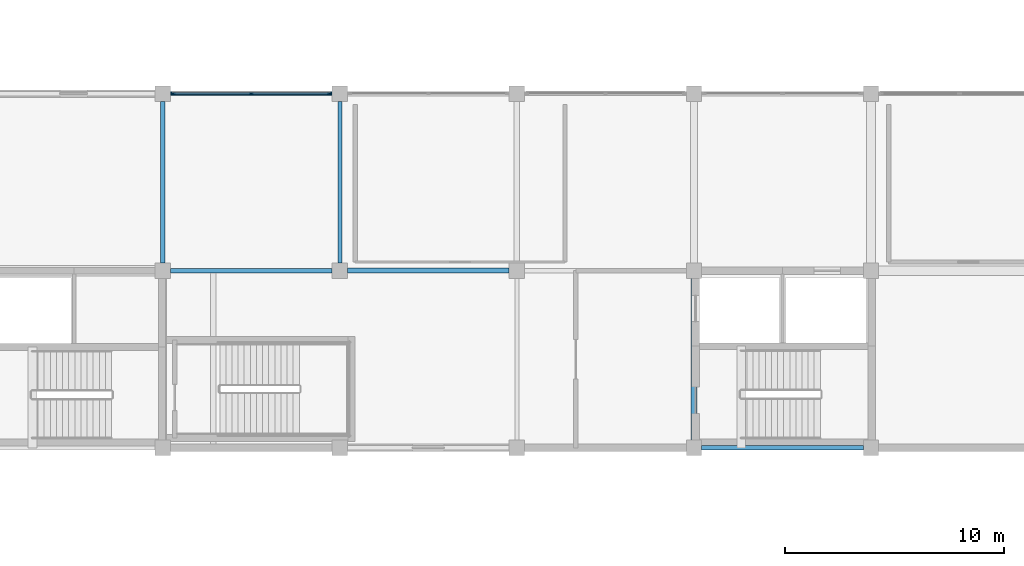
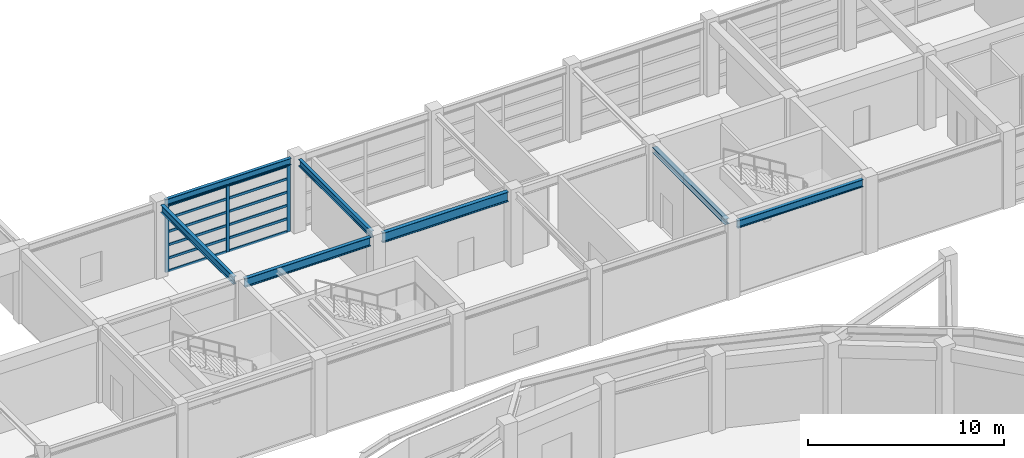
# One storey, part 27 of 58: 15 members, 7 beams, 1 element without a shape of its own.
"""IFC4 building model written with IfcOpenShell, lengths in metres."""

from ifc_helpers import new_model, si_unit, direction, frame, origin, origin_2d, place, context, subcontext, project, spatial, rectangle, i_section, extrude, material, material_profile, profile_set, type_object, element, aggregate, save


model = new_model("IFC4")

# Units and contexts
model_context = context("Model", 3, precision=1e-05, world=origin(), true_north=direction((0.0, 1.0)))
body_context = subcontext(model_context, "Body", "Model", "MODEL_VIEW")
ifc_project = project(units=[si_unit("LENGTHUNIT", "METRE"), si_unit("AREAUNIT", "SQUARE_METRE"), si_unit("VOLUMEUNIT", "CUBIC_METRE"), si_unit("PLANEANGLEUNIT", "RADIAN"), si_unit("MASSUNIT", "GRAM", prefix="KILO")], contexts=[model_context])

# Site, building, storey
site_placement = place(None, origin())
site = spatial("IfcSite", under=ifc_project, at=site_placement, CompositionType="ELEMENT")
building_placement = place(site_placement, origin())
building = spatial("IfcBuilding", under=site, at=building_placement, Name="Parian Resonance Hall", CompositionType="ELEMENT")
storey_placement = place(building_placement, frame((0.0, 0.0, 10.199951171875)))
storey = spatial("IfcBuildingStorey", under=building, at=storey_placement, Name="L02", CompositionType="ELEMENT", Elevation=10.199951171875)

# Beams
ifc_material_1 = material(Name="Steel S355", Category="steel")
ifc_material_profile_1 = material_profile(ifc_material_1, i_section(OverallWidth=0.2548828125, OverallDepth=0.35693359375, WebThickness=0.010498046875, FlangeThickness=0.018310546875, FilletRadius=0.01513671875, at=origin_2d()), Name="W360x101")
ifc_profile_set_1 = profile_set([ifc_material_profile_1], Name="Steel S355")
beam_type_1 = type_object("IfcBeamType", Name="BM-W360x101", PredefinedType="SPANDREL", material=ifc_profile_set_1)
beam_1_placement = place(storey_placement, frame((56.699951171875, 73.25, 4.381591796875), z_axis=(0.0, 1.0, 0.0), x_axis=(-1.0, 0.0, 0.0)))
element("IfcBeam", 1, at=beam_1_placement, inside=storey, type_object=beam_type_1, Name="GY-L02-0755", PredefinedType="SPANDREL", context=body_context, shape_type="SweptSolid", body=[
    extrude(i_section(OverallWidth=0.2548828125, OverallDepth=0.35693359375, WebThickness=0.010498046875, FlangeThickness=0.018310546875, FilletRadius=0.01513671875, at=origin_2d()), origin(), (0.0, 0.0, 1.0), 7.39990234375),
])
ifc_material_2 = material(Name="Steel S355", Category="steel")
ifc_material_profile_2 = material_profile(ifc_material_2, i_section(OverallWidth=0.180908203125, OverallDepth=0.4169921875, WebThickness=0.010986328125, FlangeThickness=0.018310546875, FilletRadius=0.01513671875, at=origin_2d()), Name="W410x85")
ifc_profile_set_2 = profile_set([ifc_material_profile_2], Name="Steel S355")
beam_type_2 = type_object("IfcBeamType", Name="BM-W410x85", PredefinedType="SPANDREL", material=ifc_profile_set_2)
for number, where, z_axis, x_axis, name in (
    (2, (32.75, 89.10009765625, 4.3515625), (1.0, 0.0, 0.0), (0.0, 1.0, 0.0), "GX-L02-0670"),
    (3, (40.5, 81.35009765625, 4.3515625), (0.0, 1.0, 0.0), (-1.0, 0.0, 0.0), "GY-L02-0752"),
):
    element("IfcBeam", number, at=place(storey_placement, frame(where, z_axis=z_axis, x_axis=x_axis)), inside=storey, type_object=beam_type_2, Name=name, PredefinedType="SPANDREL", context=body_context, shape_type="SweptSolid", body=[
        extrude(i_section(OverallWidth=0.180908203125, OverallDepth=0.4169921875, WebThickness=0.010986328125, FlangeThickness=0.018310546875, FilletRadius=0.01513671875, at=origin_2d()), origin(), (0.0, 0.0, 1.0), 7.39990234375),
    ])
ifc_material_3 = material(Name="Steel S355", Category="steel")
ifc_material_profile_3 = material_profile(ifc_material_3, i_section(OverallWidth=0.194091796875, OverallDepth=0.468994140625, WebThickness=0.0126953125, FlangeThickness=0.0205078125, FilletRadius=0.01513671875, at=origin_2d()), Name="W460x106")
ifc_profile_set_3 = profile_set([ifc_material_profile_3], Name="Steel S355")
beam_type_3 = type_object("IfcBeamType", Name="BM-W460x106", PredefinedType="SPANDREL", material=ifc_profile_set_3)
for number, where, z_axis, x_axis, name in (
    (4, (57.050048828125, 72.89990234375, 4.325439453125), (1.0, 0.0, 0.0), (0.0, 1.0, 0.0), "GX-L02-0677"),
    (5, (32.39990234375, 81.35009765625, 4.325439453125), (0.0, 1.0, 0.0), (-1.0, 0.0, 0.0), "GY-L02-0751"),
):
    element("IfcBeam", number, at=place(storey_placement, frame(where, z_axis=z_axis, x_axis=x_axis)), inside=storey, type_object=beam_type_3, Name=name, PredefinedType="SPANDREL", context=body_context, shape_type="SweptSolid", body=[
        extrude(i_section(OverallWidth=0.194091796875, OverallDepth=0.468994140625, WebThickness=0.0126953125, FlangeThickness=0.0205078125, FilletRadius=0.01513671875, at=origin_2d()), origin(), (0.0, 0.0, 1.0), 7.39990234375),
    ])
ifc_material_4 = material(Name="Steel S355", Category="steel")
ifc_material_profile_4 = material_profile(ifc_material_4, i_section(OverallWidth=0.2119140625, OverallDepth=0.5439453125, WebThickness=0.01318359375, FlangeThickness=0.021240234375, FilletRadius=0.017822265625, at=origin_2d()), Name="W530x123")
ifc_profile_set_4 = profile_set([ifc_material_profile_4], Name="Steel S355")
beam_type_4 = type_object("IfcBeamType", Name="BM-W530x123", PredefinedType="USERDEFINED", material=ifc_profile_set_4)
beam_2_placement = place(storey_placement, frame((32.75, 81.0, 4.2880859375), z_axis=(1.0, 0.0, 0.0), x_axis=(0.0, 1.0, 0.0)))
element("IfcBeam", 6, at=beam_2_placement, inside=storey, type_object=beam_type_4, Name="GX-L02-0669", ObjectType="GIRDER", PredefinedType="USERDEFINED", context=body_context, shape_type="SweptSolid", body=[
    extrude(i_section(OverallWidth=0.2119140625, OverallDepth=0.5439453125, WebThickness=0.01318359375, FlangeThickness=0.021240234375, FilletRadius=0.017822265625, at=origin_2d()), origin(), (0.0, 0.0, 1.0), 7.39990234375),
])
ifc_material_5 = material(Name="Steel S355", Category="steel")
ifc_material_profile_5 = material_profile(ifc_material_5, i_section(OverallWidth=0.22802734375, OverallDepth=0.60791015625, WebThickness=0.01123046875, FlangeThickness=0.017333984375, FilletRadius=0.017822265625, at=origin_2d()), Name="W610x113")
ifc_profile_set_5 = profile_set([ifc_material_profile_5], Name="Steel S355")
beam_type_5 = type_object("IfcBeamType", Name="BM-W610x113", PredefinedType="USERDEFINED", material=ifc_profile_set_5)
beam_3_placement = place(storey_placement, frame((40.85009765625, 81.0, 4.256103515625), z_axis=(1.0, 0.0, 0.0), x_axis=(0.0, 1.0, 0.0)))
element("IfcBeam", 7, at=beam_3_placement, inside=storey, type_object=beam_type_5, Name="GX-L02-0672", ObjectType="GIRDER", PredefinedType="USERDEFINED", context=body_context, shape_type="SweptSolid", body=[
    extrude(i_section(OverallWidth=0.22802734375, OverallDepth=0.60791015625, WebThickness=0.01123046875, FlangeThickness=0.017333984375, FilletRadius=0.017822265625, at=origin_2d()), origin(), (0.0, 0.0, 1.0), 7.39990234375),
])

# Curtain wall, members
ifc_material_6 = material(Name="Bronze-anodised aluminium frame", Category="aluminium")
curtain_wall_type = type_object("IfcCurtainWallType", Name="CW-SYS-06", PredefinedType="NOTDEFINED", material=ifc_material_6)
curtain_wall_placement = place(storey_placement, origin())
curtain_wall = element("IfcCurtainWall", 8, at=curtain_wall_placement, inside=storey, type_object=curtain_wall_type, Name="Curtain wall CW-L02-078", PredefinedType="NOTDEFINED")
ifc_material_7 = material(Name="Bronze-anodised aluminium frame", Category="aluminium")
ifc_material_profile_6 = material_profile(ifc_material_7, rectangle(XDim=0.074951171875, YDim=0.199951171875, at=origin_2d()), Name="CWM-75x200")
ifc_profile_set_6 = profile_set([ifc_material_profile_6], Name="Bronze-anodised aluminium frame")
member_type_1 = type_object("IfcMemberType", Name="CWM-75x200", PredefinedType="MULLION", material=ifc_profile_set_6)
member_1_placement = place(storey_placement, frame((32.867431640625, 89.10009765625, -0.008056640625), z_axis=(0.0, 0.0, 1.0), x_axis=(0.0, 1.0, 0.0)))
member_1 = element("IfcMember", 9, at=member_1_placement, type_object=member_type_1, Name="CW-06 mullion 1", PredefinedType="MULLION", context=body_context, shape_type="SweptSolid", body=[
    extrude(rectangle(XDim=0.074951171875, YDim=0.199951171875, at=origin_2d()), origin(), (0.0, 0.0, 1.0), 4.155029296875),
])
member_2_placement = place(storey_placement, frame((36.449951171875, 89.10009765625, -0.008056640625), z_axis=(0.0, 0.0, 1.0), x_axis=(0.0, 1.0, 0.0)))
member_2 = element("IfcMember", 10, at=member_2_placement, type_object=member_type_1, Name="CW-06 mullion 2", PredefinedType="MULLION", context=body_context, shape_type="SweptSolid", body=[
    extrude(rectangle(XDim=0.074951171875, YDim=0.199951171875, at=origin_2d()), origin(), (0.0, 0.0, 1.0), 4.155029296875),
])
member_3_placement = place(storey_placement, frame((40.032470703125, 89.10009765625, -0.008056640625), z_axis=(0.0, 0.0, 1.0), x_axis=(0.0, 1.0, 0.0)))
member_3 = element("IfcMember", 11, at=member_3_placement, type_object=member_type_1, Name="CW-06 mullion 3", PredefinedType="MULLION", context=body_context, shape_type="SweptSolid", body=[
    extrude(rectangle(XDim=0.074951171875, YDim=0.199951171875, at=origin_2d()), origin(), (0.0, 0.0, 1.0), 4.155029296875),
])
ifc_material_8 = material(Name="Bronze-anodised aluminium frame", Category="aluminium")
ifc_material_profile_7 = material_profile(ifc_material_8, rectangle(XDim=0.074951171875, YDim=0.14990234375, at=origin_2d()), Name="CWT-75x150")
ifc_profile_set_7 = profile_set([ifc_material_profile_7], Name="Bronze-anodised aluminium frame")
member_type_2 = type_object("IfcMemberType", Name="CWT-75x150", PredefinedType="USERDEFINED", material=ifc_profile_set_7)
member_4_placement = place(storey_placement, frame((32.905029296875, 89.10009765625, 0.029541015625), z_axis=(1.0, 0.0, 0.0), x_axis=(0.0, 1.0, 0.0)))
member_4 = element("IfcMember", 12, at=member_4_placement, type_object=member_type_2, Name="CW-06 transom 1.1", ObjectType="TRANSOM", PredefinedType="USERDEFINED", context=body_context, shape_type="SweptSolid", body=[
    extrude(rectangle(XDim=0.074951171875, YDim=0.14990234375, at=origin_2d()), origin(), (0.0, 0.0, 1.0), 3.507568359375),
])
member_5_placement = place(storey_placement, frame((32.905029296875, 89.10009765625, 0.827392578125), z_axis=(1.0, 0.0, 0.0), x_axis=(0.0, 1.0, 0.0)))
member_5 = element("IfcMember", 13, at=member_5_placement, type_object=member_type_2, Name="CW-06 transom 1.2", ObjectType="TRANSOM", PredefinedType="USERDEFINED", context=body_context, shape_type="SweptSolid", body=[
    extrude(rectangle(XDim=0.074951171875, YDim=0.14990234375, at=origin_2d()), origin(), (0.0, 0.0, 1.0), 3.507568359375),
])
member_6_placement = place(storey_placement, frame((32.905029296875, 89.10009765625, 1.65478515625), z_axis=(1.0, 0.0, 0.0), x_axis=(0.0, 1.0, 0.0)))
member_6 = element("IfcMember", 14, at=member_6_placement, type_object=member_type_2, Name="CW-06 transom 1.3", ObjectType="TRANSOM", PredefinedType="USERDEFINED", context=body_context, shape_type="SweptSolid", body=[
    extrude(rectangle(XDim=0.074951171875, YDim=0.14990234375, at=origin_2d()), origin(), (0.0, 0.0, 1.0), 3.507568359375),
])
member_7_placement = place(storey_placement, frame((32.905029296875, 89.10009765625, 2.482177734375), z_axis=(1.0, 0.0, 0.0), x_axis=(0.0, 1.0, 0.0)))
member_7 = element("IfcMember", 15, at=member_7_placement, type_object=member_type_2, Name="CW-06 transom 1.4", ObjectType="TRANSOM", PredefinedType="USERDEFINED", context=body_context, shape_type="SweptSolid", body=[
    extrude(rectangle(XDim=0.074951171875, YDim=0.14990234375, at=origin_2d()), origin(), (0.0, 0.0, 1.0), 3.507568359375),
])
member_8_placement = place(storey_placement, frame((32.905029296875, 89.10009765625, 3.3095703125), z_axis=(1.0, 0.0, 0.0), x_axis=(0.0, 1.0, 0.0)))
member_8 = element("IfcMember", 16, at=member_8_placement, type_object=member_type_2, Name="CW-06 transom 1.5", ObjectType="TRANSOM", PredefinedType="USERDEFINED", context=body_context, shape_type="SweptSolid", body=[
    extrude(rectangle(XDim=0.074951171875, YDim=0.14990234375, at=origin_2d()), origin(), (0.0, 0.0, 1.0), 3.507568359375),
])
member_9_placement = place(storey_placement, frame((32.905029296875, 89.10009765625, 4.109619140625), z_axis=(1.0, 0.0, 0.0), x_axis=(0.0, 1.0, 0.0)))
member_9 = element("IfcMember", 17, at=member_9_placement, type_object=member_type_2, Name="CW-06 transom 1.6", ObjectType="TRANSOM", PredefinedType="USERDEFINED", context=body_context, shape_type="SweptSolid", body=[
    extrude(rectangle(XDim=0.074951171875, YDim=0.14990234375, at=origin_2d()), origin(), (0.0, 0.0, 1.0), 3.507568359375),
])
member_10_placement = place(storey_placement, frame((36.487548828125, 89.10009765625, 0.029541015625), z_axis=(1.0, 0.0, 0.0), x_axis=(0.0, 1.0, 0.0)))
member_10 = element("IfcMember", 18, at=member_10_placement, type_object=member_type_2, Name="CW-06 transom 2.1", ObjectType="TRANSOM", PredefinedType="USERDEFINED", context=body_context, shape_type="SweptSolid", body=[
    extrude(rectangle(XDim=0.074951171875, YDim=0.14990234375, at=origin_2d()), origin(), (0.0, 0.0, 1.0), 3.507568359375),
])
member_11_placement = place(storey_placement, frame((36.487548828125, 89.10009765625, 0.827392578125), z_axis=(1.0, 0.0, 0.0), x_axis=(0.0, 1.0, 0.0)))
member_11 = element("IfcMember", 19, at=member_11_placement, type_object=member_type_2, Name="CW-06 transom 2.2", ObjectType="TRANSOM", PredefinedType="USERDEFINED", context=body_context, shape_type="SweptSolid", body=[
    extrude(rectangle(XDim=0.074951171875, YDim=0.14990234375, at=origin_2d()), origin(), (0.0, 0.0, 1.0), 3.507568359375),
])
member_12_placement = place(storey_placement, frame((36.487548828125, 89.10009765625, 1.65478515625), z_axis=(1.0, 0.0, 0.0), x_axis=(0.0, 1.0, 0.0)))
member_12 = element("IfcMember", 20, at=member_12_placement, type_object=member_type_2, Name="CW-06 transom 2.3", ObjectType="TRANSOM", PredefinedType="USERDEFINED", context=body_context, shape_type="SweptSolid", body=[
    extrude(rectangle(XDim=0.074951171875, YDim=0.14990234375, at=origin_2d()), origin(), (0.0, 0.0, 1.0), 3.507568359375),
])
member_13_placement = place(storey_placement, frame((36.487548828125, 89.10009765625, 2.482177734375), z_axis=(1.0, 0.0, 0.0), x_axis=(0.0, 1.0, 0.0)))
member_13 = element("IfcMember", 21, at=member_13_placement, type_object=member_type_2, Name="CW-06 transom 2.4", ObjectType="TRANSOM", PredefinedType="USERDEFINED", context=body_context, shape_type="SweptSolid", body=[
    extrude(rectangle(XDim=0.074951171875, YDim=0.14990234375, at=origin_2d()), origin(), (0.0, 0.0, 1.0), 3.507568359375),
])
member_14_placement = place(storey_placement, frame((36.487548828125, 89.10009765625, 3.3095703125), z_axis=(1.0, 0.0, 0.0), x_axis=(0.0, 1.0, 0.0)))
member_14 = element("IfcMember", 22, at=member_14_placement, type_object=member_type_2, Name="CW-06 transom 2.5", ObjectType="TRANSOM", PredefinedType="USERDEFINED", context=body_context, shape_type="SweptSolid", body=[
    extrude(rectangle(XDim=0.074951171875, YDim=0.14990234375, at=origin_2d()), origin(), (0.0, 0.0, 1.0), 3.507568359375),
])
member_15_placement = place(storey_placement, frame((36.487548828125, 89.10009765625, 4.109619140625), z_axis=(1.0, 0.0, 0.0), x_axis=(0.0, 1.0, 0.0)))
member_15 = element("IfcMember", 23, at=member_15_placement, type_object=member_type_2, Name="CW-06 transom 2.6", ObjectType="TRANSOM", PredefinedType="USERDEFINED", context=body_context, shape_type="SweptSolid", body=[
    extrude(rectangle(XDim=0.074951171875, YDim=0.14990234375, at=origin_2d()), origin(), (0.0, 0.0, 1.0), 3.507568359375),
])
aggregate(curtain_wall, [member_1, member_2, member_3, member_4, member_5, member_6, member_7, member_8, member_9, member_10, member_11, member_12, member_13, member_14, member_15])

save(model, "model.ifc")
